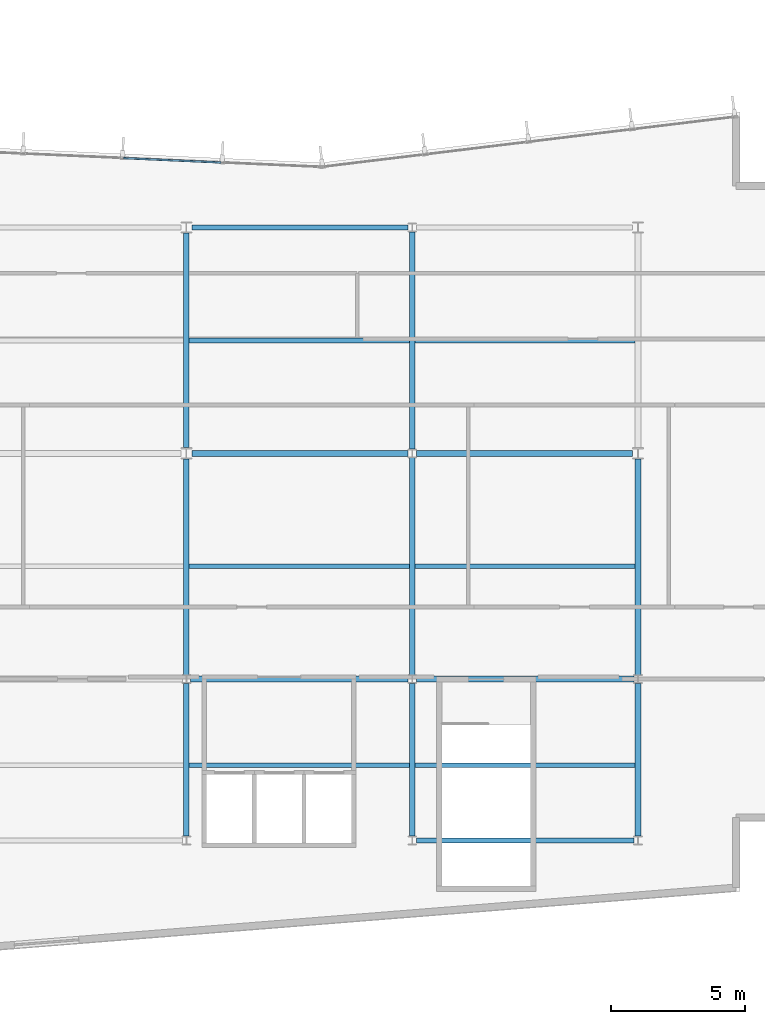
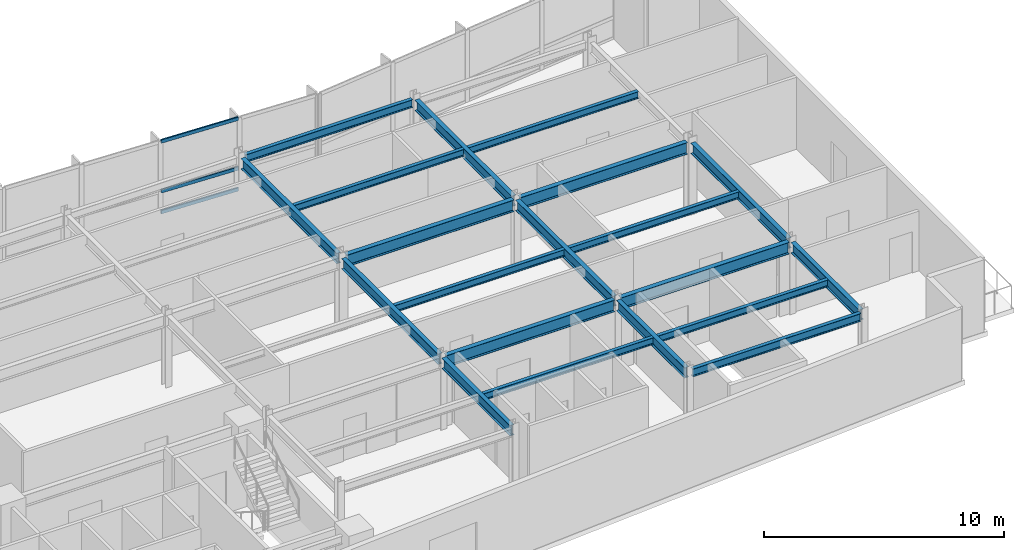
# One storey, part 6 of 16: 20 beams, 3 members, 1 element without a shape of its own.
"""IFC4 building model written with IfcOpenShell, lengths in metres."""

from ifc_helpers import new_model, si_unit, direction, frame, origin, origin_2d, place, context, subcontext, project, spatial, hollow_rectangle, i_section, extrude, material, layer, layer_set, material_profile, profile_set, type_object, element, aggregate, save


model = new_model("IFC4")

# Units and contexts
model_context = context("Model", 3, precision=1e-05, world=origin(), true_north=direction((0.0, 1.0)))
body_context = subcontext(model_context, "Body", "Model", "MODEL_VIEW")
ifc_project = project(units=[si_unit("LENGTHUNIT", "METRE"), si_unit("AREAUNIT", "SQUARE_METRE"), si_unit("VOLUMEUNIT", "CUBIC_METRE"), si_unit("PLANEANGLEUNIT", "RADIAN"), si_unit("MASSUNIT", "GRAM", prefix="KILO")], contexts=[model_context])

# Site, building, storey
site_placement = place(None, origin())
site = spatial("IfcSite", under=ifc_project, at=site_placement, CompositionType="ELEMENT")
building_placement = place(site_placement, origin())
building = spatial("IfcBuilding", under=site, at=building_placement, Name="Varnakote Quay Hospital", CompositionType="ELEMENT")
storey_placement = place(building_placement, frame((0.0, 0.0, 170.5)))
storey = spatial("IfcBuildingStorey", under=building, at=storey_placement, Name="L42", CompositionType="ELEMENT", Elevation=170.5)

# Beams
ifc_material_1 = material(Name="Structural steel AS/NZS 3679.1 Grade 350 L0 (fy 340 MPa)", Category="steel")
ifc_material_profile_1 = material_profile(ifc_material_1, i_section(OverallWidth=0.208984375, OverallDepth=0.532958984375, WebThickness=0.01025390625, FlangeThickness=0.015625, FilletRadius=0.013916015625, at=origin_2d()), Name="530UB92.4")
ifc_profile_set_1 = profile_set([ifc_material_profile_1], Name="Structural steel AS/NZS 3679.1 Grade 350 L0 (fy 340 MPa)")
beam_type_1 = type_object("IfcBeamType", Name="BM-STL-530UB92-4", PredefinedType="BEAM", material=ifc_profile_set_1)
beam_1_placement = place(storey_placement, frame((33.60009765625, 6.157470703125, 3.403564453125), z_axis=(0.0, 1.0, 0.0), x_axis=(-1.0, 0.0, 0.0)))
element("IfcBeam", 1, at=beam_1_placement, inside=storey, type_object=beam_type_1, Name="L42 Primary Tie Beam", PredefinedType="BEAM", context=body_context, shape_type="SweptSolid", body=[
    extrude(i_section(OverallWidth=0.208984375, OverallDepth=0.532958984375, WebThickness=0.01025390625, FlangeThickness=0.015625, FilletRadius=0.013916015625, at=origin_2d()), origin(), (0.0, 0.0, 1.0), 5.68505859375),
])
beam_2_placement = place(storey_placement, frame((33.60009765625, 12.157470703125, 3.403564453125), z_axis=(0.0, 1.0, 0.0), x_axis=(-1.0, 0.0, 0.0)))
element("IfcBeam", 2, at=beam_2_placement, inside=storey, type_object=beam_type_1, Name="L42 Primary Tie Beam", PredefinedType="BEAM", context=body_context, shape_type="SweptSolid", body=[
    extrude(i_section(OverallWidth=0.208984375, OverallDepth=0.532958984375, WebThickness=0.01025390625, FlangeThickness=0.015625, FilletRadius=0.013916015625, at=origin_2d()), origin(), (0.0, 0.0, 1.0), 8.032470703125),
])
beam_3_placement = place(storey_placement, frame((33.60009765625, 20.610107421875, 3.403564453125), z_axis=(0.0, 1.0, 0.0), x_axis=(-1.0, 0.0, 0.0)))
element("IfcBeam", 3, at=beam_3_placement, inside=storey, type_object=beam_type_1, Name="L42 Primary Tie Beam", PredefinedType="BEAM", context=body_context, shape_type="SweptSolid", body=[
    extrude(i_section(OverallWidth=0.208984375, OverallDepth=0.532958984375, WebThickness=0.01025390625, FlangeThickness=0.015625, FilletRadius=0.013916015625, at=origin_2d()), origin(), (0.0, 0.0, 1.0), 7.97998046875),
])
beam_4_placement = place(storey_placement, frame((42.0, 6.157470703125, 3.403564453125), z_axis=(0.0, 1.0, 0.0), x_axis=(-1.0, 0.0, 0.0)))
element("IfcBeam", 4, at=beam_4_placement, inside=storey, type_object=beam_type_1, Name="L42 Primary Tie Beam", PredefinedType="BEAM", context=body_context, shape_type="SweptSolid", body=[
    extrude(i_section(OverallWidth=0.208984375, OverallDepth=0.532958984375, WebThickness=0.01025390625, FlangeThickness=0.015625, FilletRadius=0.013916015625, at=origin_2d()), origin(), (0.0, 0.0, 1.0), 5.68505859375),
])
for number, where, z_axis, x_axis, name in (
    (5, (42.0, 12.157470703125, 3.403564453125), (0.0, 1.0, 0.0), (-1.0, 0.0, 0.0), "L42 Primary Tie Beam"),
    (6, (42.0, 20.5576171875, 3.403564453125), (0.0, 1.0, 0.0), (-1.0, 0.0, 0.0), "L42 Primary Tie Beam"),
):
    element("IfcBeam", number, at=place(storey_placement, frame(where, z_axis=z_axis, x_axis=x_axis)), inside=storey, type_object=beam_type_1, Name=name, PredefinedType="BEAM", context=body_context, shape_type="SweptSolid", body=[
        extrude(i_section(OverallWidth=0.208984375, OverallDepth=0.532958984375, WebThickness=0.01025390625, FlangeThickness=0.015625, FilletRadius=0.013916015625, at=origin_2d()), origin(), (0.0, 0.0, 1.0), 8.0849609375),
    ])
beam_5_placement = place(storey_placement, frame((50.39990234375, 6.157470703125, 3.403564453125), z_axis=(0.0, 1.0, 0.0), x_axis=(-1.0, 0.0, 0.0)))
element("IfcBeam", 7, at=beam_5_placement, inside=storey, type_object=beam_type_1, Name="L42 Primary Tie Beam", PredefinedType="BEAM", context=body_context, shape_type="SweptSolid", body=[
    extrude(i_section(OverallWidth=0.208984375, OverallDepth=0.532958984375, WebThickness=0.01025390625, FlangeThickness=0.015625, FilletRadius=0.013916015625, at=origin_2d()), origin(), (0.0, 0.0, 1.0), 5.68505859375),
])
beam_6_placement = place(storey_placement, frame((50.39990234375, 12.157470703125, 3.403564453125), z_axis=(0.0, 1.0, 0.0), x_axis=(-1.0, 0.0, 0.0)))
element("IfcBeam", 8, at=beam_6_placement, inside=storey, type_object=beam_type_1, Name="L42 Primary Tie Beam", PredefinedType="BEAM", context=body_context, shape_type="SweptSolid", body=[
    extrude(i_section(OverallWidth=0.208984375, OverallDepth=0.532958984375, WebThickness=0.01025390625, FlangeThickness=0.015625, FilletRadius=0.013916015625, at=origin_2d()), origin(), (0.0, 0.0, 1.0), 8.032470703125),
])
ifc_material_2 = material(Name="Structural steel AS/NZS 3679.1 Grade 350 L0 (fy 340 MPa)", Category="steel")
ifc_material_profile_2 = material_profile(ifc_material_2, i_section(OverallWidth=0.22802734375, OverallDepth=0.60205078125, WebThickness=0.010498046875, FlangeThickness=0.014892578125, FilletRadius=0.013916015625, at=origin_2d()), Name="610UB101")
ifc_profile_set_2 = profile_set([ifc_material_profile_2], Name="Structural steel AS/NZS 3679.1 Grade 350 L0 (fy 340 MPa)")
beam_type_2 = type_object("IfcBeamType", Name="BM-STL-610UB101", PredefinedType="BEAM", material=ifc_profile_set_2)
for number, where, z_axis, x_axis, name in (
    (9, (33.75341796875, 12.0, 3.368896484375), (1.0, 0.0, 0.0), (0.0, 1.0, 0.0), "L42 Primary Floor Beam"),
    (10, (42.153564453125, 12.0, 3.368896484375), (1.0, 0.0, 0.0), (0.0, 1.0, 0.0), "L42 Primary Floor Beam"),
):
    element("IfcBeam", number, at=place(storey_placement, frame(where, z_axis=z_axis, x_axis=x_axis)), inside=storey, type_object=beam_type_2, Name=name, PredefinedType="BEAM", context=body_context, shape_type="SweptSolid", body=[
        extrude(i_section(OverallWidth=0.22802734375, OverallDepth=0.60205078125, WebThickness=0.010498046875, FlangeThickness=0.014892578125, FilletRadius=0.013916015625, at=origin_2d()), origin(), (0.0, 0.0, 1.0), 8.093017578125),
    ])
for number, where, z_axis, x_axis, name in (
    (11, (33.800048828125, 20.39990234375, 3.368896484375), (1.0, 0.0, 0.0), (0.0, 1.0, 0.0), "L42 Primary Floor Beam"),
    (12, (42.153564453125, 20.39990234375, 3.368896484375), (1.0, 0.0, 0.0), (0.0, 1.0, 0.0), "L42 Primary Floor Beam"),
):
    element("IfcBeam", number, at=place(storey_placement, frame(where, z_axis=z_axis, x_axis=x_axis)), inside=storey, type_object=beam_type_2, Name=name, PredefinedType="BEAM", context=body_context, shape_type="SweptSolid", body=[
        extrude(i_section(OverallWidth=0.22802734375, OverallDepth=0.60205078125, WebThickness=0.010498046875, FlangeThickness=0.014892578125, FilletRadius=0.013916015625, at=origin_2d()), origin(), (0.0, 0.0, 1.0), 8.04638671875),
    ])

# Curtain wall, members
ifc_material_3 = material(Name="Anodised aluminium 6063-T6 Bronze", Category="aluminium")
ifc_layer = layer(ifc_material_3, 0.205078125)
ifc_layer_set = layer_set([ifc_layer], Name="Anodised aluminium 6063-T6 Bronze")
curtain_wall_type = type_object("IfcCurtainWallType", Name="CW-SYS-3", PredefinedType="NOTDEFINED", material=ifc_layer_set)
curtain_wall_placement = place(storey_placement, origin())
curtain_wall = element("IfcCurtainWall", 13, at=curtain_wall_placement, inside=storey, type_object=curtain_wall_type, Name="L42 Unitised Bronze Curtain Wall 2", PredefinedType="NOTDEFINED")
ifc_material_4 = material(Name="Anodised aluminium 6063-T6 Bronze", Category="aluminium")
ifc_material_profile_3 = material_profile(ifc_material_4, hollow_rectangle(XDim=0.074951171875, YDim=0.179931640625, WallThickness=0.004150390625, InnerFilletRadius=0.004150390625, OuterFilletRadius=0.00830078125, at=origin_2d()), Name="CW-TRAN-180x75")
ifc_profile_set_3 = profile_set([ifc_material_profile_3], Name="Anodised aluminium 6063-T6 Bronze")
member_type = type_object("IfcMemberType", Name="CW-TRAN-180x75", PredefinedType="USERDEFINED", material=ifc_profile_set_3)
member_1_placement = place(storey_placement, frame((34.8896484375, 31.21923828125, 0.03759765625), z_axis=(-0.99899730508, 0.044770352277, 0.0), x_axis=(-0.044770352277, -0.99899730508, 0.0)))
member_1 = element("IfcMember", 14, at=member_1_placement, type_object=member_type, Name="-3-L42-2 transom 2.1", ObjectType="TRANSOM", PredefinedType="USERDEFINED", context=body_context, shape_type="SweptSolid", body=[
    extrude(hollow_rectangle(XDim=0.074951171875, YDim=0.179931640625, WallThickness=0.004150390625, InnerFilletRadius=0.004150390625, OuterFilletRadius=0.00830078125, at=origin_2d()), origin(), (0.0, 0.0, 1.0), 3.6318359375),
])
member_2_placement = place(storey_placement, frame((34.8896484375, 31.21923828125, 1.10009765625), z_axis=(-0.99899730508, 0.044770352277, 0.0), x_axis=(-0.044770352277, -0.99899730508, 0.0)))
member_2 = element("IfcMember", 15, at=member_2_placement, type_object=member_type, Name="-3-L42-2 transom 2.2", ObjectType="TRANSOM", PredefinedType="USERDEFINED", context=body_context, shape_type="SweptSolid", body=[
    extrude(hollow_rectangle(XDim=0.074951171875, YDim=0.179931640625, WallThickness=0.004150390625, InnerFilletRadius=0.004150390625, OuterFilletRadius=0.00830078125, at=origin_2d()), origin(), (0.0, 0.0, 1.0), 3.6318359375),
])
member_3_placement = place(storey_placement, frame((34.8896484375, 31.21923828125, 3.632568359375), z_axis=(-0.99899730508, 0.044770352277, 0.0), x_axis=(-0.044770352277, -0.99899730508, 0.0)))
member_3 = element("IfcMember", 16, at=member_3_placement, type_object=member_type, Name="-3-L42-2 transom 2.3", ObjectType="TRANSOM", PredefinedType="USERDEFINED", context=body_context, shape_type="SweptSolid", body=[
    extrude(hollow_rectangle(XDim=0.074951171875, YDim=0.179931640625, WallThickness=0.004150390625, InnerFilletRadius=0.004150390625, OuterFilletRadius=0.00830078125, at=origin_2d()), origin(), (0.0, 0.0, 1.0), 3.6318359375),
])
aggregate(curtain_wall, [member_1, member_2, member_3])

# Beams
ifc_material_5 = material(Name="Structural steel AS/NZS 3679.1 Grade 350 L0 (fy 340 MPa)", Category="steel")
ifc_material_profile_4 = material_profile(ifc_material_5, i_section(OverallWidth=0.1708984375, OverallDepth=0.35595703125, WebThickness=0.00732421875, FlangeThickness=0.011474609375, FilletRadius=0.011474609375, at=origin_2d()), Name="360UB50.7")
ifc_profile_set_4 = profile_set([ifc_material_profile_4], Name="Structural steel AS/NZS 3679.1 Grade 350 L0 (fy 340 MPa)")
beam_type_3 = type_object("IfcBeamType", Name="JST-STL-360UB50-7", PredefinedType="JOIST", material=ifc_profile_set_4)
for number, where, z_axis, x_axis, name in (
    (17, (33.70458984375, 8.800048828125, 3.491943359375), (1.0, 0.0, 0.0), (0.0, 1.0, 0.0), "L42 Composite Floor Joist"),
    (18, (42.1044921875, 8.800048828125, 3.491943359375), (1.0, 0.0, 0.0), (0.0, 1.0, 0.0), "L42 Composite Floor Joist"),
    (19, (33.70458984375, 16.199951171875, 3.491943359375), (1.0, 0.0, 0.0), (0.0, 1.0, 0.0), "L42 Composite Floor Joist"),
    (20, (42.1044921875, 16.199951171875, 3.491943359375), (1.0, 0.0, 0.0), (0.0, 1.0, 0.0), "L42 Composite Floor Joist"),
    (21, (33.70458984375, 24.60009765625, 3.491943359375), (1.0, 0.0, 0.0), (0.0, 1.0, 0.0), "L42 Composite Floor Joist"),
    (22, (42.1044921875, 24.60009765625, 3.491943359375), (1.0, 0.0, 0.0), (0.0, 1.0, 0.0), "L42 Composite Floor Joist"),
):
    element("IfcBeam", number, at=place(storey_placement, frame(where, z_axis=z_axis, x_axis=x_axis)), inside=storey, type_object=beam_type_3, Name=name, PredefinedType="JOIST", context=body_context, shape_type="SweptSolid", body=[
        extrude(i_section(OverallWidth=0.1708984375, OverallDepth=0.35595703125, WebThickness=0.00732421875, FlangeThickness=0.011474609375, FilletRadius=0.011474609375, at=origin_2d()), origin(), (0.0, 0.0, 1.0), 8.19091796875),
    ])
ifc_material_6 = material(Name="Structural steel AS/NZS 3679.1 Grade 350 L0 (fy 340 MPa)", Category="steel")
ifc_material_profile_5 = material_profile(ifc_material_6, i_section(OverallWidth=0.177978515625, OverallDepth=0.406005859375, WebThickness=0.0078125, FlangeThickness=0.0126953125, FilletRadius=0.011474609375, at=origin_2d()), Name="410UB59.7")
ifc_profile_set_5 = profile_set([ifc_material_profile_5], Name="Structural steel AS/NZS 3679.1 Grade 350 L0 (fy 340 MPa)")
beam_type_4 = type_object("IfcBeamType", Name="SPN-STL-410UB59-7", PredefinedType="SPANDREL", material=ifc_profile_set_5)
beam_7_placement = place(storey_placement, frame((42.153564453125, 6.0, 3.467041015625), z_axis=(1.0, 0.0, 0.0), x_axis=(0.0, 1.0, 0.0)))
element("IfcBeam", 23, at=beam_7_placement, inside=storey, type_object=beam_type_4, Name="L42 Perimeter Spandrel Beam", PredefinedType="SPANDREL", context=body_context, shape_type="SweptSolid", body=[
    extrude(i_section(OverallWidth=0.177978515625, OverallDepth=0.406005859375, WebThickness=0.0078125, FlangeThickness=0.0126953125, FilletRadius=0.011474609375, at=origin_2d()), origin(), (0.0, 0.0, 1.0), 8.093017578125),
])
beam_8_placement = place(storey_placement, frame((33.800048828125, 28.800048828125, 3.467041015625), z_axis=(1.0, 0.0, 0.0), x_axis=(0.0, 1.0, 0.0)))
element("IfcBeam", 24, at=beam_8_placement, inside=storey, type_object=beam_type_4, Name="L42 Perimeter Spandrel Beam", PredefinedType="SPANDREL", context=body_context, shape_type="SweptSolid", body=[
    extrude(i_section(OverallWidth=0.177978515625, OverallDepth=0.406005859375, WebThickness=0.0078125, FlangeThickness=0.0126953125, FilletRadius=0.011474609375, at=origin_2d()), origin(), (0.0, 0.0, 1.0), 8.04638671875),
])

save(model, "model.ifc")
